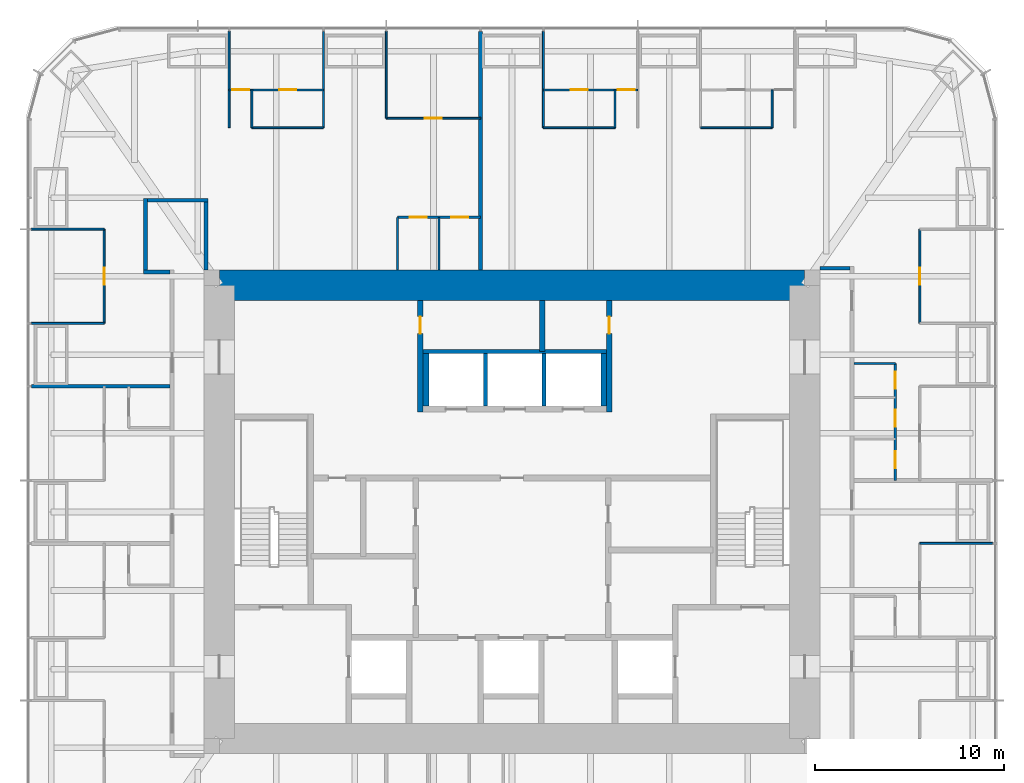
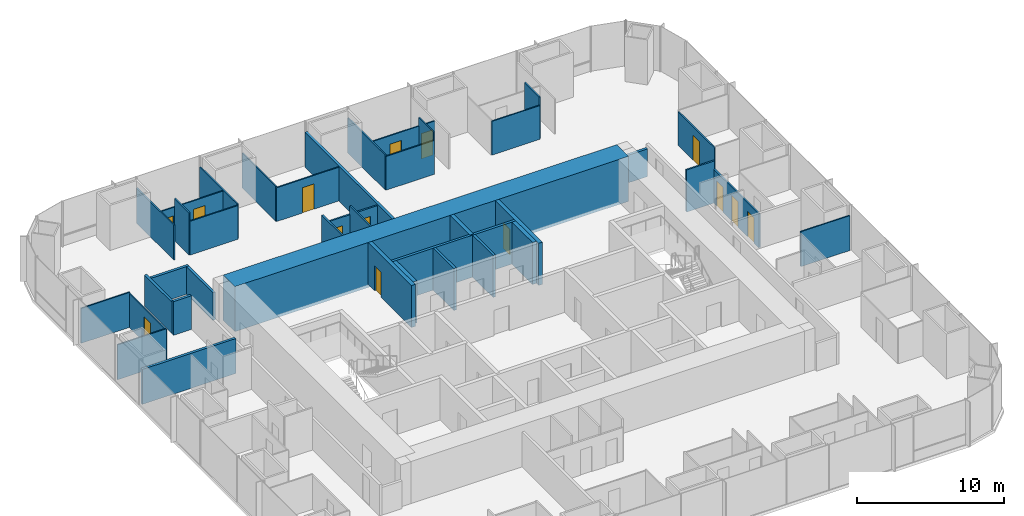
# One storey, part 11 of 13: 39 walls, 14 doors, 14 openings.
"""IFC4 building model written with IfcOpenShell, lengths in metres."""

from ifc_helpers import new_model, si_unit, direction, frame, frame_2d, origin, place, context, subcontext, project, spatial, rectangle, extrude, material, layer, layer_set, type_object, element, fill, save


model = new_model("IFC4")

# Units and contexts
model_context = context("Model", 3, precision=1e-05, world=origin(), true_north=direction((0.0, 1.0)))
body_context = subcontext(model_context, "Body", "Model", "MODEL_VIEW")
ifc_project = project(units=[si_unit("LENGTHUNIT", "METRE"), si_unit("AREAUNIT", "SQUARE_METRE"), si_unit("VOLUMEUNIT", "CUBIC_METRE"), si_unit("PLANEANGLEUNIT", "RADIAN"), si_unit("MASSUNIT", "GRAM", prefix="KILO")], contexts=[model_context])

# Site, building, storey
site_placement = place(None, origin())
site = spatial("IfcSite", under=ifc_project, at=site_placement, CompositionType="ELEMENT")
building_placement = place(site_placement, origin())
building = spatial("IfcBuilding", under=site, at=building_placement, Name="Khuree Lantern Residences", CompositionType="ELEMENT")
storey_placement = place(building_placement, frame((0.0, 0.0, 263.25)))
storey = spatial("IfcBuildingStorey", under=building, at=storey_placement, Name="L66", CompositionType="ELEMENT", Elevation=263.25)

# Wall, openings, doors
ifc_material_1 = material(Name="Moisture-resistant gypsum board on steel studs", Category="steel")
ifc_layer_1 = layer(ifc_material_1, 0.125)
ifc_layer_set_1 = layer_set([ifc_layer_1], Name="BATHROOM WALL BTW125")
wall_type_1 = type_object("IfcWallType", Name="BATHROOM WALL BTW125", PredefinedType="PARTITIONING", material=ifc_layer_set_1)
wall_1_placement = place(storey_placement, frame((20.300048828125, 1.6640625, 0.0), z_axis=(0.0, 0.0, 1.0), x_axis=(0.0, 1.0, 0.0)))
wall_1 = element("IfcWall", 1, at=wall_1_placement, inside=storey, type_object=wall_type_1, Name="L66 BATHROOM WALL 02", PredefinedType="PARTITIONING", context=body_context, shape_type="SweptSolid", body=[
    extrude(rectangle(XDim=6.199951171875, YDim=0.125, at=frame_2d((3.10009765625, 0.0))), origin(), (0.0, 0.0, 1.0), 2.81005859375),
])
opening_1_placement = place(wall_1_placement, frame((0.64990234375, 0.0, 0.0)))
opening_1 = element("IfcOpeningElement", 2, at=opening_1_placement, cuts=wall_1, Name="Opening 66-032", PredefinedType="OPENING", context=body_context, shape_type="SweptSolid", body=[
    extrude(rectangle(XDim=0.89990234375, YDim=2.10009765625, at=frame_2d((0.449951171875, 1.050048828125))), frame((0.0, 0.072509765625, 0.0), z_axis=(0.0, -1.0, 0.0), x_axis=(1.0, 0.0, 0.0)), (0.0, 0.0, 1.0), 0.14501953125),
])
opening_2_placement = place(wall_1_placement, frame((2.85009765625, 0.0, 0.0)))
opening_2 = element("IfcOpeningElement", 3, at=opening_2_placement, cuts=wall_1, Name="Opening 66-033", PredefinedType="OPENING", context=body_context, shape_type="SweptSolid", body=[
    extrude(rectangle(XDim=0.89990234375, YDim=2.10009765625, at=frame_2d((0.449951171875, 1.050048828125))), frame((0.0, 0.072509765625, 0.0), z_axis=(0.0, -1.0, 0.0), x_axis=(1.0, 0.0, 0.0)), (0.0, 0.0, 1.0), 0.14501953125),
])
opening_3_placement = place(wall_1_placement, frame((4.85009765625, 0.0, 0.0)))
opening_3 = element("IfcOpeningElement", 4, at=opening_3_placement, cuts=wall_1, Name="Opening 66-034", PredefinedType="OPENING", context=body_context, shape_type="SweptSolid", body=[
    extrude(rectangle(XDim=0.89990234375, YDim=2.10009765625, at=frame_2d((0.449951171875, 1.050048828125))), frame((0.0, 0.072509765625, 0.0), z_axis=(0.0, -1.0, 0.0), x_axis=(1.0, 0.0, 0.0)), (0.0, 0.0, 1.0), 0.14501953125),
])
ifc_material_2 = material(Name="Timber door leaf in hardwood frame", Category="wood")
door_type_1 = type_object("IfcDoorType", Name="BATHROOM DOOR 900X2100", OperationType="SINGLE_SWING_LEFT", PredefinedType="DOOR", material=ifc_material_2)
door_1_placement = place(opening_1_placement, origin())
door_1 = element("IfcDoor", 5, at=door_1_placement, inside=storey, type_object=door_type_1, Name="Bathroom door 66-032", OperationType="SINGLE_SWING_LEFT", OverallHeight=2.10009765625, OverallWidth=0.89990234375, PredefinedType="DOOR", context=body_context, shape_type="SweptSolid", body=[
    extrude(rectangle(XDim=0.89990234375, YDim=2.10009765625, at=frame_2d((0.449951171875, 1.050048828125))), frame((0.0, 0.02490234375, 0.0), z_axis=(0.0, -1.0, 0.0), x_axis=(1.0, 0.0, 0.0)), (0.0, 0.0, 1.0), 0.050048828125),
])
fill(opening_1, door_1)
door_2_placement = place(opening_2_placement, origin())
door_2 = element("IfcDoor", 6, at=door_2_placement, inside=storey, type_object=door_type_1, Name="Bathroom door 66-033", OperationType="SINGLE_SWING_LEFT", OverallHeight=2.10009765625, OverallWidth=0.89990234375, PredefinedType="DOOR", context=body_context, shape_type="SweptSolid", body=[
    extrude(rectangle(XDim=0.89990234375, YDim=2.10009765625, at=frame_2d((0.449951171875, 1.050048828125))), frame((0.0, 0.02490234375, 0.0), z_axis=(0.0, -1.0, 0.0), x_axis=(1.0, 0.0, 0.0)), (0.0, 0.0, 1.0), 0.050048828125),
])
fill(opening_2, door_2)
door_type_2 = type_object("IfcDoorType", Name="DOOR 900X2100", OperationType="SINGLE_SWING_LEFT", PredefinedType="DOOR", material=ifc_material_2)
door_3_placement = place(opening_3_placement, origin())
door_3 = element("IfcDoor", 7, at=door_3_placement, inside=storey, type_object=door_type_2, Name="Store door 66-034", OperationType="SINGLE_SWING_LEFT", OverallHeight=2.10009765625, OverallWidth=0.89990234375, PredefinedType="DOOR", context=body_context, shape_type="SweptSolid", body=[
    extrude(rectangle(XDim=0.89990234375, YDim=2.10009765625, at=frame_2d((0.449951171875, 1.050048828125))), frame((0.0, 0.02490234375, 0.0), z_axis=(0.0, -1.0, 0.0), x_axis=(1.0, 0.0, 0.0)), (0.0, 0.0, 1.0), 0.050048828125),
])
fill(opening_3, door_3)

# Wall
wall_2_placement = place(storey_placement, frame((18.10009765625, 7.864013671875, 0.0), z_axis=(0.0, 0.0, 1.0), x_axis=(1.0, 0.0, 0.0)))
element("IfcWall", 8, at=wall_2_placement, inside=storey, type_object=wall_type_1, Name="L66 BATHROOM WALL 02", PredefinedType="PARTITIONING", context=body_context, shape_type="SweptSolid", body=[
    extrude(rectangle(XDim=2.199951171875, YDim=0.125, at=frame_2d((1.10009765625, 0.0))), origin(), (0.0, 0.0, 1.0), 3.5),
])

# Wall, openings, doors
wall_3_placement = place(storey_placement, frame((-1.6640625, 15.60009765625, 0.0), z_axis=(0.0, 0.0, 1.0), x_axis=(-1.0, 0.0, 0.0)))
wall_3 = element("IfcWall", 9, at=wall_3_placement, inside=storey, type_object=wall_type_1, Name="L66 BATHROOM WALL 03", PredefinedType="PARTITIONING", context=body_context, shape_type="SweptSolid", body=[
    extrude(rectangle(XDim=4.39990234375, YDim=0.125, at=frame_2d((2.199951171875, 0.0))), origin(), (0.0, 0.0, 1.0), 2.81005859375),
])
opening_4_placement = place(wall_3_placement, frame((0.64990234375, 0.0, 0.0)))
opening_4 = element("IfcOpeningElement", 10, at=opening_4_placement, cuts=wall_3, Name="Opening 66-040", PredefinedType="OPENING", context=body_context, shape_type="SweptSolid", body=[
    extrude(rectangle(XDim=0.89990234375, YDim=2.10009765625, at=frame_2d((0.449951171875, 1.050048828125))), frame((0.0, 0.072509765625, 0.0), z_axis=(0.0, -1.0, 0.0), x_axis=(1.0, 0.0, 0.0)), (0.0, 0.0, 1.0), 0.14501953125),
])
opening_5_placement = place(wall_3_placement, frame((2.85009765625, 0.0, 0.0)))
opening_5 = element("IfcOpeningElement", 11, at=opening_5_placement, cuts=wall_3, Name="Opening 66-041", PredefinedType="OPENING", context=body_context, shape_type="SweptSolid", body=[
    extrude(rectangle(XDim=0.89990234375, YDim=2.10009765625, at=frame_2d((0.449951171875, 1.050048828125))), frame((0.0, 0.072509765625, 0.0), z_axis=(0.0, -1.0, 0.0), x_axis=(1.0, 0.0, 0.0)), (0.0, 0.0, 1.0), 0.14501953125),
])
door_4_placement = place(opening_4_placement, origin())
door_4 = element("IfcDoor", 12, at=door_4_placement, inside=storey, type_object=door_type_1, Name="Bathroom door 66-040", OperationType="SINGLE_SWING_LEFT", OverallHeight=2.10009765625, OverallWidth=0.89990234375, PredefinedType="DOOR", context=body_context, shape_type="SweptSolid", body=[
    extrude(rectangle(XDim=0.89990234375, YDim=2.10009765625, at=frame_2d((0.449951171875, 1.050048828125))), frame((0.0, 0.02490234375, 0.0), z_axis=(0.0, -1.0, 0.0), x_axis=(1.0, 0.0, 0.0)), (0.0, 0.0, 1.0), 0.050048828125),
])
fill(opening_4, door_4)
door_5_placement = place(opening_5_placement, origin())
door_5 = element("IfcDoor", 13, at=door_5_placement, inside=storey, type_object=door_type_1, Name="Bathroom door 66-041", OperationType="SINGLE_SWING_LEFT", OverallHeight=2.10009765625, OverallWidth=0.89990234375, PredefinedType="DOOR", context=body_context, shape_type="SweptSolid", body=[
    extrude(rectangle(XDim=0.89990234375, YDim=2.10009765625, at=frame_2d((0.449951171875, 1.050048828125))), frame((0.0, 0.02490234375, 0.0), z_axis=(0.0, -1.0, 0.0), x_axis=(1.0, 0.0, 0.0)), (0.0, 0.0, 1.0), 0.050048828125),
])
fill(opening_5, door_5)

# Walls
for number, where, z_axis, x_axis, name in (
    (14, (-3.864013671875, 12.800048828125, 0.0), (0.0, 0.0, 1.0), (0.0, 1.0, 0.0), "L66 BATHROOM WALL 03"),
    (15, (-6.06396484375, 12.800048828125, 0.0), (0.0, 0.0, 1.0), (0.0, 1.0, 0.0), "L66 BATHROOM WALL 03"),
):
    element("IfcWall", number, at=place(storey_placement, frame(where, z_axis=z_axis, x_axis=x_axis)), inside=storey, type_object=wall_type_1, Name=name, PredefinedType="PARTITIONING", context=body_context, shape_type="SweptSolid", body=[
        extrude(rectangle(XDim=2.800048828125, YDim=0.125, at=frame_2d((1.39990234375, 0.0))), origin(), (0.0, 0.0, 1.0), 3.5),
    ])
ifc_material_3 = material(Name="Dense concrete blockwork", Category="masonry")
ifc_layer_2 = layer(ifc_material_3, 0.300048828125)
ifc_layer_set_2 = layer_set([ifc_layer_2], Name="CORE PARTITION WALL CPW300 EI 120")
wall_type_2 = type_object("IfcWallType", Name="CORE PARTITION WALL CPW300 EI 120", PredefinedType="PARTITIONING", material=ifc_layer_set_2)
for number, where, z_axis, x_axis, name in (
    (16, (-4.550048828125, 5.60009765625, 0.0), (0.0, 0.0, 1.0), (0.0, 1.0, 0.0), "L66 CORE WALL PHW"),
    (17, (4.85009765625, 5.60009765625, 0.0), (0.0, 0.0, 1.0), (0.0, 1.0, 0.0), "L66 CORE WALL PHE"),
):
    element("IfcWall", number, at=place(storey_placement, frame(where, z_axis=z_axis, x_axis=x_axis)), inside=storey, type_object=wall_type_2, Name=name, PredefinedType="PARTITIONING", context=body_context, shape_type="SweptSolid", body=[
        extrude(rectangle(XDim=2.7998046875, YDim=0.300048828125, at=frame_2d((1.39990234375, 0.0))), origin(), (0.0, 0.0, 1.0), 3.5),
    ])

# Wall, opening, door
wall_4_placement = place(storey_placement, frame((-4.85009765625, 5.300048828125, 0.0), z_axis=(0.0, 0.0, 1.0), x_axis=(0.0, 1.0, 0.0)))
wall_4 = element("IfcWall", 18, at=wall_4_placement, inside=storey, type_object=wall_type_2, Name="L66 CORE WALL NW", PredefinedType="PARTITIONING", context=body_context, shape_type="SweptSolid", body=[
    extrude(rectangle(XDim=5.89990234375, YDim=0.300048828125, at=frame_2d((2.949951171875, 0.0))), origin(), (0.0, 0.0, 1.0), 3.5),
])
opening_6_placement = place(wall_4_placement, frame((4.14990234375, 0.0, 0.0)))
opening_6 = element("IfcOpeningElement", 19, at=opening_6_placement, cuts=wall_4, Name="Opening 66-021", PredefinedType="OPENING", context=body_context, shape_type="SweptSolid", body=[
    extrude(rectangle(XDim=0.89990234375, YDim=2.10009765625, at=frame_2d((0.449951171875, 1.050048828125))), frame((0.0, 0.16015625, 0.0), z_axis=(0.0, -1.0, 0.0), x_axis=(1.0, 0.0, 0.0)), (0.0, 0.0, 1.0), 0.320068359375),
])
door_type_3 = type_object("IfcDoorType", Name="DOOR 900X2100 RIGHT HAND", OperationType="SINGLE_SWING_RIGHT", PredefinedType="DOOR", material=ifc_material_2)
door_6_placement = place(opening_6_placement, origin())
door_6 = element("IfcDoor", 20, at=door_6_placement, inside=storey, type_object=door_type_3, Name="Bulky waste store door 66-021", OperationType="SINGLE_SWING_RIGHT", OverallHeight=2.10009765625, OverallWidth=0.89990234375, PredefinedType="DOOR", context=body_context, shape_type="SweptSolid", body=[
    extrude(rectangle(XDim=0.89990234375, YDim=2.10009765625, at=frame_2d((0.449951171875, 1.050048828125))), frame((0.0, 0.02490234375, 0.0), z_axis=(0.0, -1.0, 0.0), x_axis=(1.0, 0.0, 0.0)), (0.0, 0.0, 1.0), 0.050048828125),
])
fill(opening_6, door_6)

wall_5_placement = place(storey_placement, frame((5.14990234375, 5.300048828125, 0.0), z_axis=(0.0, 0.0, 1.0), x_axis=(0.0, 1.0, 0.0)))
wall_5 = element("IfcWall", 21, at=wall_5_placement, inside=storey, type_object=wall_type_2, Name="L66 CORE WALL NE", PredefinedType="PARTITIONING", context=body_context, shape_type="SweptSolid", body=[
    extrude(rectangle(XDim=5.89990234375, YDim=0.300048828125, at=frame_2d((2.949951171875, 0.0))), origin(), (0.0, 0.0, 1.0), 3.5),
])
opening_7_placement = place(wall_5_placement, frame((4.14990234375, 0.0, 0.0)))
opening_7 = element("IfcOpeningElement", 22, at=opening_7_placement, cuts=wall_5, Name="Opening 66-022", PredefinedType="OPENING", context=body_context, shape_type="SweptSolid", body=[
    extrude(rectangle(XDim=0.89990234375, YDim=2.10009765625, at=frame_2d((0.449951171875, 1.050048828125))), frame((0.0, 0.16015625, 0.0), z_axis=(0.0, -1.0, 0.0), x_axis=(1.0, 0.0, 0.0)), (0.0, 0.0, 1.0), 0.320068359375),
])
door_7_placement = place(opening_7_placement, origin())
door_7 = element("IfcDoor", 23, at=door_7_placement, inside=storey, type_object=door_type_2, Name="Building management room door 66-022", OperationType="SINGLE_SWING_LEFT", OverallHeight=2.10009765625, OverallWidth=0.89990234375, PredefinedType="DOOR", context=body_context, shape_type="SweptSolid", body=[
    extrude(rectangle(XDim=0.89990234375, YDim=2.10009765625, at=frame_2d((0.449951171875, 1.050048828125))), frame((0.0, 0.02490234375, 0.0), z_axis=(0.0, -1.0, 0.0), x_axis=(1.0, 0.0, 0.0)), (0.0, 0.0, 1.0), 0.050048828125),
])
fill(opening_7, door_7)

# Walls
wall_6_placement = place(storey_placement, frame((1.60009765625, 8.5, 0.0), z_axis=(0.0, 0.0, 1.0), x_axis=(0.0, 1.0, 0.0)))
element("IfcWall", 24, at=wall_6_placement, inside=storey, type_object=wall_type_2, Name="L66 CORE WALL NX", PredefinedType="PARTITIONING", context=body_context, shape_type="SweptSolid", body=[
    extrude(rectangle(XDim=2.699951171875, YDim=0.300048828125, at=frame_2d((1.35009765625, 0.0))), origin(), (0.0, 0.0, 1.0), 3.5),
])
ifc_material_4 = material(Name="Gypsum board on steel studs", Category="steel")
ifc_layer_3 = layer(ifc_material_4, 0.199951171875)
ifc_layer_set_3 = layer_set([ifc_layer_3], Name="CORRIDOR WALL CRW200 EI 60")
wall_type_3 = type_object("IfcWallType", Name="CORRIDOR WALL CRW200 EI 60", PredefinedType="PARTITIONING", material=ifc_layer_set_3)
wall_7_placement = place(storey_placement, frame((-18.10009765625, 12.699951171875, 0.0), z_axis=(0.0, 0.0, 1.0), x_axis=(-1.0, 0.0, 0.0)))
element("IfcWall", 25, at=wall_7_placement, inside=storey, type_object=wall_type_3, Name="L66 RESIDENTS LOUNGE WALL", PredefinedType="PARTITIONING", context=body_context, shape_type="SweptSolid", body=[
    extrude(rectangle(XDim=1.39990234375, YDim=0.199951171875, at=frame_2d((0.699951171875, 0.0))), origin(), (0.0, 0.0, 1.0), 2.81005859375),
])
wall_8_placement = place(storey_placement, frame((-19.39990234375, 12.60009765625, 0.0), z_axis=(0.0, 0.0, 1.0), x_axis=(0.0, 1.0, 0.0)))
element("IfcWall", 26, at=wall_8_placement, inside=storey, type_object=wall_type_3, Name="L66 RESIDENTS LOUNGE WALL", PredefinedType="PARTITIONING", context=body_context, shape_type="SweptSolid", body=[
    extrude(rectangle(XDim=4.0, YDim=0.199951171875, at=frame_2d((2.0, 0.0))), origin(), (0.0, 0.0, 1.0), 2.60009765625),
])
wall_9_placement = place(storey_placement, frame((-19.300048828125, 16.5, 0.0), z_axis=(0.0, 0.0, 1.0), x_axis=(1.0, 0.0, 0.0)))
element("IfcWall", 27, at=wall_9_placement, inside=storey, type_object=wall_type_3, Name="L66 RESIDENTS LOUNGE WALL", PredefinedType="PARTITIONING", context=body_context, shape_type="SweptSolid", body=[
    extrude(rectangle(XDim=3.199951171875, YDim=0.199951171875, at=frame_2d((1.60009765625, 0.0))), origin(), (0.0, 0.0, 1.0), 2.300048828125),
])
wall_10_placement = place(storey_placement, frame((-16.199951171875, 16.60009765625, 0.0), z_axis=(0.0, 0.0, 1.0), x_axis=(0.0, -1.0, 0.0)))
element("IfcWall", 28, at=wall_10_placement, inside=storey, type_object=wall_type_3, Name="L66 RESIDENTS LOUNGE WALL", PredefinedType="PARTITIONING", context=body_context, shape_type="SweptSolid", body=[
    extrude(rectangle(XDim=3.800048828125, YDim=0.199951171875, at=frame_2d((1.89990234375, 0.0))), origin(), (0.0, 0.0, 1.0), 2.300048828125),
])
wall_11_placement = place(storey_placement, frame((16.300048828125, 12.89990234375, 0.0), z_axis=(0.0, 0.0, 1.0), x_axis=(1.0, 0.0, 0.0)))
element("IfcWall", 29, at=wall_11_placement, inside=storey, type_object=wall_type_3, Name="L66 EAST CORRIDOR NORTH END WALL", PredefinedType="PARTITIONING", context=body_context, shape_type="SweptSolid", body=[
    extrude(rectangle(XDim=1.599853515625, YDim=0.199951171875, at=frame_2d((0.7998046875, 0.0))), origin(), (0.0, 0.0, 1.0), 2.300048828125),
])
ifc_material_5 = material(Name="Concrete C50/60", Category="concrete")
ifc_layer_4 = layer(ifc_material_5, 1.60009765625)
ifc_layer_set_4 = layer_set([ifc_layer_4], Name="CW1600-C50 CORE WALL C50 1600")
wall_type_4 = type_object("IfcWallType", Name="CW1600-C50 CORE WALL C50 1600", PredefinedType="SHEAR", material=ifc_layer_set_4)
wall_12_placement = place(storey_placement, frame((-15.5, 12.0, -0.25), z_axis=(0.0, 0.0, 1.0), x_axis=(1.0, 0.0, 0.0)))
element("IfcWall", 30, at=wall_12_placement, inside=storey, type_object=wall_type_4, Name="Core wall N", PredefinedType="SHEAR", context=body_context, shape_type="SweptSolid", body=[
    extrude(rectangle(XDim=31.0, YDim=1.60009765625, at=frame_2d((15.5, 0.0))), origin(), (0.0, 0.0, 1.0), 3.75),
])
ifc_layer_5 = layer(ifc_material_4, 0.199951171875)
ifc_layer_set_5 = layer_set([ifc_layer_5], Name="DEMISING WALL DMW200 EI 90")
wall_type_5 = type_object("IfcWallType", Name="DEMISING WALL DMW200 EI 90", PredefinedType="PARTITIONING", material=ifc_layer_set_5)
wall_13_placement = place(storey_placement, frame((-1.6640625, 12.800048828125, 0.0), z_axis=(0.0, 0.0, 1.0), x_axis=(0.0, 1.0, 0.0)))
element("IfcWall", 31, at=wall_13_placement, inside=storey, type_object=wall_type_5, Name="L66 DEMISING WALL 03", PredefinedType="PARTITIONING", context=body_context, shape_type="SweptSolid", body=[
    extrude(rectangle(XDim=12.64990234375, YDim=0.199951171875, at=frame_2d((6.324951171875, 0.0))), origin(), (0.0, 0.0, 1.0), 2.909912109375),
])
wall_14_placement = place(storey_placement, frame((-18.10009765625, 6.656005859375, 0.0), z_axis=(0.0, 0.0, 1.0), x_axis=(-1.0, 0.0, 0.0)))
element("IfcWall", 32, at=wall_14_placement, inside=storey, type_object=wall_type_5, Name="L66 DEMISING WALL 04", PredefinedType="PARTITIONING", context=body_context, shape_type="SweptSolid", body=[
    extrude(rectangle(XDim=7.349853515625, YDim=0.199951171875, at=frame_2d((3.6748046875, 0.0))), origin(), (0.0, 0.0, 1.0), 2.909912109375),
])
ifc_layer_6 = layer(ifc_material_4, 0.10009765625)
ifc_layer_set_6 = layer_set([ifc_layer_6], Name="PARTITION PT100")
wall_type_6 = type_object("IfcWallType", Name="PARTITION PT100", PredefinedType="PARTITIONING", material=ifc_layer_set_6)
wall_15_placement = place(storey_placement, frame((21.60009765625, -1.6640625, 0.0), z_axis=(0.0, 0.0, 1.0), x_axis=(1.0, 0.0, 0.0)))
element("IfcWall", 33, at=wall_15_placement, inside=storey, type_object=wall_type_6, Name="L66 PARTITION 01", PredefinedType="PARTITIONING", context=body_context, shape_type="SweptSolid", body=[
    extrude(rectangle(XDim=3.849853515625, YDim=0.10009765625, at=frame_2d((1.9248046875, 0.0))), origin(), (0.0, 0.0, 1.0), 2.909912109375),
])
wall_16_placement = place(storey_placement, frame((1.6640625, 20.344970703125, 0.0), z_axis=(0.0, 0.0, 1.0), x_axis=(0.0, 1.0, 0.0)))
element("IfcWall", 34, at=wall_16_placement, inside=storey, type_object=wall_type_6, Name="L66 PARTITION 02", PredefinedType="PARTITIONING", context=body_context, shape_type="SweptSolid", body=[
    extrude(rectangle(XDim=5.10498046875, YDim=0.10009765625, at=frame_2d((2.552490234375, 0.0))), origin(), (0.0, 0.0, 1.0), 2.909912109375),
])
wall_17_placement = place(storey_placement, frame((-6.656005859375, 20.85009765625, 0.0), z_axis=(0.0, 0.0, 1.0), x_axis=(0.0, 1.0, 0.0)))
element("IfcWall", 35, at=wall_17_placement, inside=storey, type_object=wall_type_6, Name="L66 PARTITION 03", PredefinedType="PARTITIONING", context=body_context, shape_type="SweptSolid", body=[
    extrude(rectangle(XDim=4.599853515625, YDim=0.10009765625, at=frame_2d((2.2998046875, 0.0))), origin(), (0.0, 0.0, 1.0), 2.909912109375),
])
for number, where, z_axis, x_axis, name in (
    (36, (-9.98388671875, 20.344970703125, 0.0), (0.0, 0.0, 1.0), (0.0, 1.0, 0.0), "L66 PARTITION 03"),
    (37, (-14.97607421875, 20.344970703125, 0.0), (0.0, 0.0, 1.0), (0.0, 1.0, 0.0), "L66 PARTITION 03"),
):
    element("IfcWall", number, at=place(storey_placement, frame(where, z_axis=z_axis, x_axis=x_axis)), inside=storey, type_object=wall_type_6, Name=name, PredefinedType="PARTITIONING", context=body_context, shape_type="SweptSolid", body=[
        extrude(rectangle(XDim=5.10498046875, YDim=0.10009765625, at=frame_2d((2.552490234375, 0.0))), origin(), (0.0, 0.0, 1.0), 2.909912109375),
    ])
for number, where, z_axis, x_axis, name in (
    (38, (-21.60009765625, 14.97607421875, 0.0), (0.0, 0.0, 1.0), (-1.0, 0.0, 0.0), "L66 PARTITION 03"),
    (39, (-21.60009765625, 9.98388671875, 0.0), (0.0, 0.0, 1.0), (-1.0, 0.0, 0.0), "L66 PARTITION 03"),
):
    element("IfcWall", number, at=place(storey_placement, frame(where, z_axis=z_axis, x_axis=x_axis)), inside=storey, type_object=wall_type_6, Name=name, PredefinedType="PARTITIONING", context=body_context, shape_type="SweptSolid", body=[
        extrude(rectangle(XDim=3.849853515625, YDim=0.10009765625, at=frame_2d((1.9248046875, 0.0))), origin(), (0.0, 0.0, 1.0), 2.909912109375),
    ])

# Wall, opening, door
wall_18_placement = place(storey_placement, frame((21.60009765625, 9.98388671875, 0.0), z_axis=(0.0, 0.0, 1.0), x_axis=(0.0, 1.0, 0.0)))
wall_18 = element("IfcWall", 40, at=wall_18_placement, inside=storey, type_object=wall_type_6, Name="L66 PARTITION 02", PredefinedType="PARTITIONING", context=body_context, shape_type="SweptSolid", body=[
    extrude(rectangle(XDim=4.9921875, YDim=0.10009765625, at=frame_2d((2.49609375, 0.0))), origin(), (0.0, 0.0, 1.0), 2.81005859375),
])
opening_8_placement = place(wall_18_placement, frame((2.0458984375, 0.0, 0.0)))
opening_8 = element("IfcOpeningElement", 41, at=opening_8_placement, cuts=wall_18, Name="Opening 66-027", PredefinedType="OPENING", context=body_context, shape_type="SweptSolid", body=[
    extrude(rectangle(XDim=0.89990234375, YDim=2.10009765625, at=frame_2d((0.449951171875, 1.050048828125))), frame((0.0, 0.06005859375, 0.0), z_axis=(0.0, -1.0, 0.0), x_axis=(1.0, 0.0, 0.0)), (0.0, 0.0, 1.0), 0.1201171875),
])
door_type_4 = type_object("IfcDoorType", Name="BEDROOM DOOR 900X2100", OperationType="SINGLE_SWING_LEFT", PredefinedType="DOOR", material=ifc_material_2)
door_8_placement = place(opening_8_placement, origin())
door_8 = element("IfcDoor", 42, at=door_8_placement, inside=storey, type_object=door_type_4, Name="Bedroom door 66-027", OperationType="SINGLE_SWING_LEFT", OverallHeight=2.10009765625, OverallWidth=0.89990234375, PredefinedType="DOOR", context=body_context, shape_type="SweptSolid", body=[
    extrude(rectangle(XDim=0.89990234375, YDim=2.10009765625, at=frame_2d((0.449951171875, 1.050048828125))), frame((0.0, 0.02490234375, 0.0), z_axis=(0.0, -1.0, 0.0), x_axis=(1.0, 0.0, 0.0)), (0.0, 0.0, 1.0), 0.050048828125),
])
fill(opening_8, door_8)

# Walls
wall_19_placement = place(storey_placement, frame((13.77587890625, 20.344970703125, 0.0), z_axis=(0.0, 0.0, 1.0), x_axis=(0.0, 1.0, 0.0)))
element("IfcWall", 43, at=wall_19_placement, inside=storey, type_object=wall_type_6, Name="L66 PARTITION 02", PredefinedType="PARTITIONING", context=body_context, shape_type="SweptSolid", body=[
    extrude(rectangle(XDim=2.0, YDim=0.10009765625, at=frame_2d((1.0, 0.0))), origin(), (0.0, 0.0, 1.0), 3.5),
])
wall_20_placement = place(storey_placement, frame((13.77587890625, 20.344970703125, 0.0), z_axis=(0.0, 0.0, 1.0), x_axis=(-1.0, 0.0, 0.0)))
element("IfcWall", 44, at=wall_20_placement, inside=storey, type_object=wall_type_6, Name="L66 PARTITION 02", PredefinedType="PARTITIONING", context=body_context, shape_type="SweptSolid", body=[
    extrude(rectangle(XDim=3.7919921875, YDim=0.10009765625, at=frame_2d((1.89599609375, 0.0))), origin(), (0.0, 0.0, 1.0), 2.81005859375),
])

# Wall, openings, doors
wall_21_placement = place(storey_placement, frame((6.656005859375, 22.344970703125, 0.0), z_axis=(0.0, 0.0, 1.0), x_axis=(-1.0, 0.0, 0.0)))
wall_21 = element("IfcWall", 45, at=wall_21_placement, inside=storey, type_object=wall_type_6, Name="L66 PARTITION 02", PredefinedType="PARTITIONING", context=body_context, shape_type="SweptSolid", body=[
    extrude(rectangle(XDim=4.991943359375, YDim=0.10009765625, at=frame_2d((2.49609375, 0.0))), origin(), (0.0, 0.0, 1.0), 2.81005859375),
])
opening_9_placement = place(wall_21_placement, frame((0.14990234375, 0.0, 0.0)))
opening_9 = element("IfcOpeningElement", 46, at=opening_9_placement, cuts=wall_21, Name="Opening 66-030", PredefinedType="OPENING", context=body_context, shape_type="SweptSolid", body=[
    extrude(rectangle(XDim=0.89990234375, YDim=2.10009765625, at=frame_2d((0.449951171875, 1.050048828125))), frame((0.0, 0.06005859375, 0.0), z_axis=(0.0, -1.0, 0.0), x_axis=(1.0, 0.0, 0.0)), (0.0, 0.0, 1.0), 0.1201171875),
])
opening_10_placement = place(wall_21_placement, frame((2.64599609375, 0.0, 0.0)))
opening_10 = element("IfcOpeningElement", 47, at=opening_10_placement, cuts=wall_21, Name="Opening 66-031", PredefinedType="OPENING", context=body_context, shape_type="SweptSolid", body=[
    extrude(rectangle(XDim=0.89990234375, YDim=2.10009765625, at=frame_2d((0.449951171875, 1.050048828125))), frame((0.0, 0.06005859375, 0.0), z_axis=(0.0, -1.0, 0.0), x_axis=(1.0, 0.0, 0.0)), (0.0, 0.0, 1.0), 0.1201171875),
])
door_9_placement = place(opening_9_placement, origin())
door_9 = element("IfcDoor", 48, at=door_9_placement, inside=storey, type_object=door_type_4, Name="Bedroom door 66-030", OperationType="SINGLE_SWING_LEFT", OverallHeight=2.10009765625, OverallWidth=0.89990234375, PredefinedType="DOOR", context=body_context, shape_type="SweptSolid", body=[
    extrude(rectangle(XDim=0.89990234375, YDim=2.10009765625, at=frame_2d((0.449951171875, 1.050048828125))), frame((0.0, 0.02490234375, 0.0), z_axis=(0.0, -1.0, 0.0), x_axis=(1.0, 0.0, 0.0)), (0.0, 0.0, 1.0), 0.050048828125),
])
fill(opening_9, door_9)
door_10_placement = place(opening_10_placement, origin())
door_10 = element("IfcDoor", 49, at=door_10_placement, inside=storey, type_object=door_type_2, Name="Wardrobe door 66-031", OperationType="SINGLE_SWING_LEFT", OverallHeight=2.10009765625, OverallWidth=0.89990234375, PredefinedType="DOOR", context=body_context, shape_type="SweptSolid", body=[
    extrude(rectangle(XDim=0.89990234375, YDim=2.10009765625, at=frame_2d((0.449951171875, 1.050048828125))), frame((0.0, 0.02490234375, 0.0), z_axis=(0.0, -1.0, 0.0), x_axis=(1.0, 0.0, 0.0)), (0.0, 0.0, 1.0), 0.050048828125),
])
fill(opening_10, door_10)

# Walls
wall_22_placement = place(storey_placement, frame((5.4560546875, 20.344970703125, 0.0), z_axis=(0.0, 0.0, 1.0), x_axis=(0.0, 1.0, 0.0)))
element("IfcWall", 50, at=wall_22_placement, inside=storey, type_object=wall_type_6, Name="L66 PARTITION 02", PredefinedType="PARTITIONING", context=body_context, shape_type="SweptSolid", body=[
    extrude(rectangle(XDim=2.0, YDim=0.10009765625, at=frame_2d((1.0, 0.0))), origin(), (0.0, 0.0, 1.0), 3.5),
])
wall_23_placement = place(storey_placement, frame((5.4560546875, 20.344970703125, 0.0), z_axis=(0.0, 0.0, 1.0), x_axis=(-1.0, 0.0, 0.0)))
element("IfcWall", 51, at=wall_23_placement, inside=storey, type_object=wall_type_6, Name="L66 PARTITION 02", PredefinedType="PARTITIONING", context=body_context, shape_type="SweptSolid", body=[
    extrude(rectangle(XDim=3.7919921875, YDim=0.10009765625, at=frame_2d((1.89599609375, 0.0))), origin(), (0.0, 0.0, 1.0), 2.81005859375),
])

# Wall, opening, door
wall_24_placement = place(storey_placement, frame((-1.6640625, 20.85009765625, 0.0), z_axis=(0.0, 0.0, 1.0), x_axis=(-1.0, 0.0, 0.0)))
wall_24 = element("IfcWall", 52, at=wall_24_placement, inside=storey, type_object=wall_type_6, Name="L66 PARTITION 03", PredefinedType="PARTITIONING", context=body_context, shape_type="SweptSolid", body=[
    extrude(rectangle(XDim=4.991943359375, YDim=0.10009765625, at=frame_2d((2.49609375, 0.0))), origin(), (0.0, 0.0, 1.0), 2.81005859375),
])
opening_11_placement = place(wall_24_placement, frame((2.0458984375, 0.0, 0.0)))
opening_11 = element("IfcOpeningElement", 53, at=opening_11_placement, cuts=wall_24, Name="Opening 66-036", PredefinedType="OPENING", context=body_context, shape_type="SweptSolid", body=[
    extrude(rectangle(XDim=0.89990234375, YDim=2.10009765625, at=frame_2d((0.449951171875, 1.050048828125))), frame((0.0, 0.06005859375, 0.0), z_axis=(0.0, -1.0, 0.0), x_axis=(1.0, 0.0, 0.0)), (0.0, 0.0, 1.0), 0.1201171875),
])
door_11_placement = place(opening_11_placement, origin())
door_11 = element("IfcDoor", 54, at=door_11_placement, inside=storey, type_object=door_type_4, Name="Bedroom door 66-036", OperationType="SINGLE_SWING_LEFT", OverallHeight=2.10009765625, OverallWidth=0.89990234375, PredefinedType="DOOR", context=body_context, shape_type="SweptSolid", body=[
    extrude(rectangle(XDim=0.89990234375, YDim=2.10009765625, at=frame_2d((0.449951171875, 1.050048828125))), frame((0.0, 0.02490234375, 0.0), z_axis=(0.0, -1.0, 0.0), x_axis=(1.0, 0.0, 0.0)), (0.0, 0.0, 1.0), 0.050048828125),
])
fill(opening_11, door_11)

# Wall, openings, doors
wall_25_placement = place(storey_placement, frame((-9.98388671875, 22.344970703125, 0.0), z_axis=(0.0, 0.0, 1.0), x_axis=(-1.0, 0.0, 0.0)))
wall_25 = element("IfcWall", 55, at=wall_25_placement, inside=storey, type_object=wall_type_6, Name="L66 PARTITION 03", PredefinedType="PARTITIONING", context=body_context, shape_type="SweptSolid", body=[
    extrude(rectangle(XDim=4.9921875, YDim=0.10009765625, at=frame_2d((2.49609375, 0.0))), origin(), (0.0, 0.0, 1.0), 2.81005859375),
])
opening_12_placement = place(wall_25_placement, frame((3.94189453125, 0.0, 0.0)))
opening_12 = element("IfcOpeningElement", 56, at=opening_12_placement, cuts=wall_25, Name="Opening 66-037", PredefinedType="OPENING", context=body_context, shape_type="SweptSolid", body=[
    extrude(rectangle(XDim=0.89990234375, YDim=2.10009765625, at=frame_2d((0.449951171875, 1.050048828125))), frame((0.0, 0.06005859375, 0.0), z_axis=(0.0, -1.0, 0.0), x_axis=(1.0, 0.0, 0.0)), (0.0, 0.0, 1.0), 0.1201171875),
])
opening_13_placement = place(wall_25_placement, frame((1.446044921875, 0.0, 0.0)))
opening_13 = element("IfcOpeningElement", 57, at=opening_13_placement, cuts=wall_25, Name="Opening 66-038", PredefinedType="OPENING", context=body_context, shape_type="SweptSolid", body=[
    extrude(rectangle(XDim=0.89990234375, YDim=2.10009765625, at=frame_2d((0.449951171875, 1.050048828125))), frame((0.0, 0.06005859375, 0.0), z_axis=(0.0, -1.0, 0.0), x_axis=(1.0, 0.0, 0.0)), (0.0, 0.0, 1.0), 0.1201171875),
])
door_12_placement = place(opening_12_placement, origin())
door_12 = element("IfcDoor", 58, at=door_12_placement, inside=storey, type_object=door_type_4, Name="Bedroom door 66-037", OperationType="SINGLE_SWING_LEFT", OverallHeight=2.10009765625, OverallWidth=0.89990234375, PredefinedType="DOOR", context=body_context, shape_type="SweptSolid", body=[
    extrude(rectangle(XDim=0.89990234375, YDim=2.10009765625, at=frame_2d((0.449951171875, 1.050048828125))), frame((0.0, 0.02490234375, 0.0), z_axis=(0.0, -1.0, 0.0), x_axis=(1.0, 0.0, 0.0)), (0.0, 0.0, 1.0), 0.050048828125),
])
fill(opening_12, door_12)
door_13_placement = place(opening_13_placement, origin())
door_13 = element("IfcDoor", 59, at=door_13_placement, inside=storey, type_object=door_type_2, Name="Wardrobe door 66-038", OperationType="SINGLE_SWING_LEFT", OverallHeight=2.10009765625, OverallWidth=0.89990234375, PredefinedType="DOOR", context=body_context, shape_type="SweptSolid", body=[
    extrude(rectangle(XDim=0.89990234375, YDim=2.10009765625, at=frame_2d((0.449951171875, 1.050048828125))), frame((0.0, 0.02490234375, 0.0), z_axis=(0.0, -1.0, 0.0), x_axis=(1.0, 0.0, 0.0)), (0.0, 0.0, 1.0), 0.050048828125),
])
fill(opening_13, door_13)

# Walls
wall_26_placement = place(storey_placement, frame((-13.77587890625, 20.344970703125, 0.0), z_axis=(0.0, 0.0, 1.0), x_axis=(0.0, 1.0, 0.0)))
element("IfcWall", 60, at=wall_26_placement, inside=storey, type_object=wall_type_6, Name="L66 PARTITION 03", PredefinedType="PARTITIONING", context=body_context, shape_type="SweptSolid", body=[
    extrude(rectangle(XDim=2.0, YDim=0.10009765625, at=frame_2d((1.0, 0.0))), origin(), (0.0, 0.0, 1.0), 3.5),
])
wall_27_placement = place(storey_placement, frame((-9.98388671875, 20.344970703125, 0.0), z_axis=(0.0, 0.0, 1.0), x_axis=(-1.0, 0.0, 0.0)))
element("IfcWall", 61, at=wall_27_placement, inside=storey, type_object=wall_type_6, Name="L66 PARTITION 03", PredefinedType="PARTITIONING", context=body_context, shape_type="SweptSolid", body=[
    extrude(rectangle(XDim=3.7919921875, YDim=0.10009765625, at=frame_2d((1.89599609375, 0.0))), origin(), (0.0, 0.0, 1.0), 2.81005859375),
])

# Wall, opening, door
wall_28_placement = place(storey_placement, frame((-21.60009765625, 14.97607421875, 0.0), z_axis=(0.0, 0.0, 1.0), x_axis=(0.0, -1.0, 0.0)))
wall_28 = element("IfcWall", 62, at=wall_28_placement, inside=storey, type_object=wall_type_6, Name="L66 PARTITION 03", PredefinedType="PARTITIONING", context=body_context, shape_type="SweptSolid", body=[
    extrude(rectangle(XDim=4.9921875, YDim=0.10009765625, at=frame_2d((2.49609375, 0.0))), origin(), (0.0, 0.0, 1.0), 2.81005859375),
])
opening_14_placement = place(wall_28_placement, frame((2.0458984375, 0.0, 0.0)))
opening_14 = element("IfcOpeningElement", 63, at=opening_14_placement, cuts=wall_28, Name="Opening 66-039", PredefinedType="OPENING", context=body_context, shape_type="SweptSolid", body=[
    extrude(rectangle(XDim=0.89990234375, YDim=2.10009765625, at=frame_2d((0.449951171875, 1.050048828125))), frame((0.0, 0.06005859375, 0.0), z_axis=(0.0, -1.0, 0.0), x_axis=(1.0, 0.0, 0.0)), (0.0, 0.0, 1.0), 0.1201171875),
])
door_14_placement = place(opening_14_placement, origin())
door_14 = element("IfcDoor", 64, at=door_14_placement, inside=storey, type_object=door_type_4, Name="Bedroom door 66-039", OperationType="SINGLE_SWING_LEFT", OverallHeight=2.10009765625, OverallWidth=0.89990234375, PredefinedType="DOOR", context=body_context, shape_type="SweptSolid", body=[
    extrude(rectangle(XDim=0.89990234375, YDim=2.10009765625, at=frame_2d((0.449951171875, 1.050048828125))), frame((0.0, 0.02490234375, 0.0), z_axis=(0.0, -1.0, 0.0), x_axis=(1.0, 0.0, 0.0)), (0.0, 0.0, 1.0), 0.050048828125),
])
fill(opening_14, door_14)

# Walls
ifc_layer_7 = layer(ifc_material_3, 0.199951171875)
ifc_layer_set_7 = layer_set([ifc_layer_7], Name="SHAFT WALL SHW200 EI 120")
wall_type_7 = type_object("IfcWallType", Name="SHAFT WALL SHW200 EI 120", PredefinedType="PARTITIONING", material=ifc_layer_set_7)
wall_29_placement = place(storey_placement, frame((-4.699951171875, 8.5, 0.0), z_axis=(0.0, 0.0, 1.0), x_axis=(1.0, 0.0, 0.0)))
element("IfcWall", 65, at=wall_29_placement, inside=storey, type_object=wall_type_7, Name="L66 CORE WALL PHN", PredefinedType="PARTITIONING", context=body_context, shape_type="SweptSolid", body=[
    extrude(rectangle(XDim=9.699951171875, YDim=0.199951171875, at=frame_2d((4.85009765625, 0.0))), origin(), (0.0, 0.0, 1.0), 3.5),
])
for number, where, z_axis, x_axis, name in (
    (66, (-1.39990234375, 5.60009765625, 0.0), (0.0, 0.0, 1.0), (0.0, 1.0, 0.0), "L66 CORE WALL PHD1"),
    (67, (1.699951171875, 5.60009765625, 0.0), (0.0, 0.0, 1.0), (0.0, 1.0, 0.0), "L66 CORE WALL PHD2"),
):
    element("IfcWall", number, at=place(storey_placement, frame(where, z_axis=z_axis, x_axis=x_axis)), inside=storey, type_object=wall_type_7, Name=name, PredefinedType="PARTITIONING", context=body_context, shape_type="SweptSolid", body=[
        extrude(rectangle(XDim=2.7998046875, YDim=0.199951171875, at=frame_2d((1.39990234375, 0.0))), origin(), (0.0, 0.0, 1.0), 3.5),
    ])

save(model, "model.ifc")
